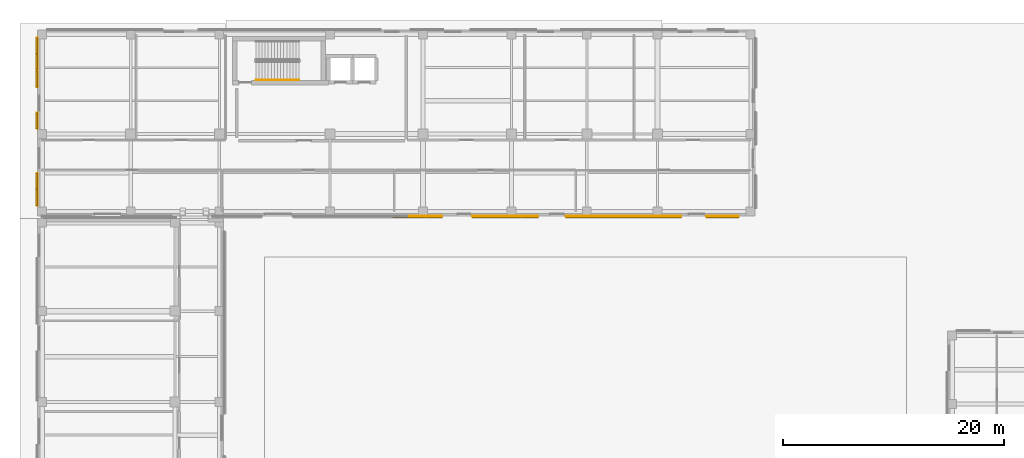
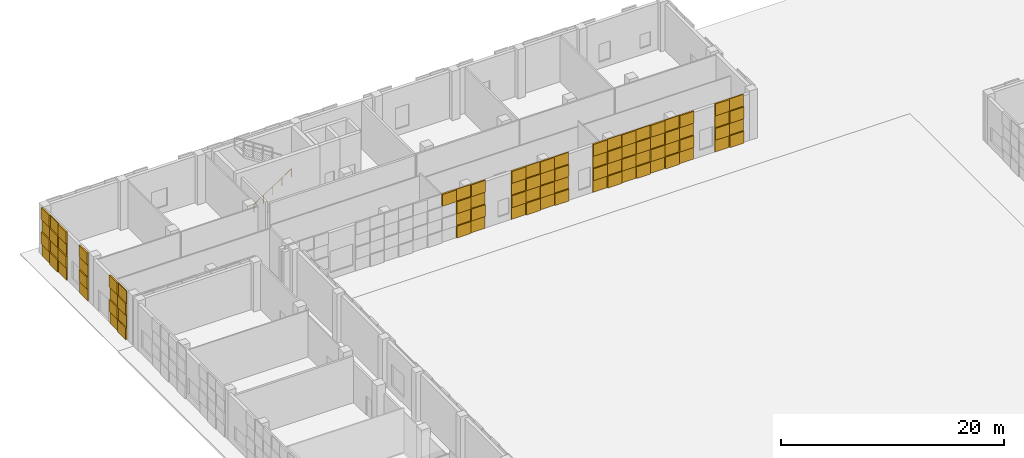
# One storey, part 34 of 40: 85 coverings, 1 railing.
"""IFC4 building model written with IfcOpenShell, lengths in metres."""

from ifc_helpers import new_model, si_unit, direction, frame, origin, origin_2d, place, context, subcontext, project, spatial, rectangle, circle, extrude, material, layer, layer_set, type_object, element, save


model = new_model("IFC4")

# Units and contexts
model_context = context("Model", 3, precision=1e-05, world=origin(), true_north=direction((0.0, 1.0)))
body_context = subcontext(model_context, "Body", "Model", "MODEL_VIEW")
ifc_project = project(units=[si_unit("LENGTHUNIT", "METRE"), si_unit("AREAUNIT", "SQUARE_METRE"), si_unit("VOLUMEUNIT", "CUBIC_METRE"), si_unit("PLANEANGLEUNIT", "RADIAN"), si_unit("MASSUNIT", "GRAM", prefix="KILO")], contexts=[model_context])

# Site, building, storey
site_placement = place(None, origin())
site = spatial("IfcSite", under=ifc_project, at=site_placement, CompositionType="ELEMENT")
building_placement = place(site_placement, origin())
building = spatial("IfcBuilding", under=site, at=building_placement, Name="Qalavern Law Courts", CompositionType="ELEMENT")
storey_placement = place(building_placement, origin())
storey = spatial("IfcBuildingStorey", under=building, at=storey_placement, Name="L00", CompositionType="ELEMENT", Elevation=0.0)

# Coverings
ifc_material_1 = material(Name="Precast concrete C40/50", Category="concrete")
ifc_layer_1 = layer(ifc_material_1, 0.06005859375)
ifc_layer_set_1 = layer_set([ifc_layer_1], Name="Precast concrete C40/50")
covering_type_1 = type_object("IfcCoveringType", Name="ENV-CLD-1", PredefinedType="CLADDING", material=ifc_layer_set_1)
covering_1_placement = place(storey_placement, frame((36.300048828125, 96.1201171875, 0.050048828125), z_axis=(0.0, 0.0, 1.0), x_axis=(1.0, 0.0, 0.0)))
element("IfcCovering", 1, at=covering_1_placement, inside=storey, type_object=covering_type_1, Name="Cast drop-relief street-base tile 1133", PredefinedType="CLADDING", context=body_context, shape_type="SweptSolid", body=[
    extrude(rectangle(XDim=1.449951171875, YDim=0.16796875, at=origin_2d()), origin(), (0.0, 0.0, 1.0), 1.294921875),
])
for number, where, z_axis, x_axis, name in (
    (2, (36.300048828125, 96.162109375, 4.054931640625), (0.0, 0.0, 1.0), (1.0, 0.0, 0.0), "Cast drop-relief street-base tile 1136"),
    (3, (37.800048828125, 96.162109375, 2.719970703125), (0.0, 0.0, 1.0), (1.0, 0.0, 0.0), "Cast drop-relief street-base tile 1139"),
):
    element("IfcCovering", number, at=place(storey_placement, frame(where, z_axis=z_axis, x_axis=x_axis)), inside=storey, type_object=covering_type_1, Name=name, PredefinedType="CLADDING", context=body_context, shape_type="SweptSolid", body=[
        extrude(rectangle(XDim=1.449951171875, YDim=0.083984375, at=origin_2d()), origin(), (0.0, 0.0, 1.0), 1.294921875),
    ])
for number, where, z_axis, x_axis, name in (
    (4, (41.97509765625, 96.1201171875, 1.385009765625), (0.0, 0.0, 1.0), (1.0, 0.0, 0.0), "Cast drop-relief street-base tile 1142"),
    (5, (43.47509765625, 96.1201171875, 0.050048828125), (0.0, 0.0, 1.0), (1.0, 0.0, 0.0), "Cast drop-relief street-base tile 1145"),
):
    element("IfcCovering", number, at=place(storey_placement, frame(where, z_axis=z_axis, x_axis=x_axis)), inside=storey, type_object=covering_type_1, Name=name, PredefinedType="CLADDING", context=body_context, shape_type="SweptSolid", body=[
        extrude(rectangle(XDim=1.449951171875, YDim=0.16796875, at=origin_2d()), origin(), (0.0, 0.0, 1.0), 1.294921875),
    ])
for number, where, z_axis, x_axis, name in (
    (6, (43.47509765625, 96.162109375, 4.054931640625), (0.0, 0.0, 1.0), (1.0, 0.0, 0.0), "Cast drop-relief street-base tile 1148"),
    (7, (44.97509765625, 96.162109375, 2.719970703125), (0.0, 0.0, 1.0), (1.0, 0.0, 0.0), "Cast drop-relief street-base tile 1151"),
    (8, (46.47509765625, 96.162109375, 1.385009765625), (0.0, 0.0, 1.0), (1.0, 0.0, 0.0), "Cast drop-relief street-base tile 1154"),
):
    element("IfcCovering", number, at=place(storey_placement, frame(where, z_axis=z_axis, x_axis=x_axis)), inside=storey, type_object=covering_type_1, Name=name, PredefinedType="CLADDING", context=body_context, shape_type="SweptSolid", body=[
        extrude(rectangle(XDim=1.449951171875, YDim=0.083984375, at=origin_2d()), origin(), (0.0, 0.0, 1.0), 1.294921875),
    ])
for number, where, z_axis, x_axis, name in (
    (9, (50.425048828125, 96.1201171875, 1.385009765625), (0.0, 0.0, 1.0), (1.0, 0.0, 0.0), "Cast drop-relief street-base tile 1158"),
    (10, (51.925048828125, 96.1201171875, 0.050048828125), (0.0, 0.0, 1.0), (1.0, 0.0, 0.0), "Cast drop-relief street-base tile 1161"),
):
    element("IfcCovering", number, at=place(storey_placement, frame(where, z_axis=z_axis, x_axis=x_axis)), inside=storey, type_object=covering_type_1, Name=name, PredefinedType="CLADDING", context=body_context, shape_type="SweptSolid", body=[
        extrude(rectangle(XDim=1.449951171875, YDim=0.16796875, at=origin_2d()), origin(), (0.0, 0.0, 1.0), 1.294921875),
    ])
for number, where, z_axis, x_axis, name in (
    (11, (51.925048828125, 96.162109375, 4.054931640625), (0.0, 0.0, 1.0), (1.0, 0.0, 0.0), "Cast drop-relief street-base tile 1164"),
    (12, (53.425048828125, 96.162109375, 2.719970703125), (0.0, 0.0, 1.0), (1.0, 0.0, 0.0), "Cast drop-relief street-base tile 1167"),
    (13, (54.925048828125, 96.162109375, 1.385009765625), (0.0, 0.0, 1.0), (1.0, 0.0, 0.0), "Cast drop-relief street-base tile 1170"),
    (14, (56.425048828125, 96.162109375, 0.050048828125), (0.0, 0.0, 1.0), (1.0, 0.0, 0.0), "Cast drop-relief street-base tile 1173"),
):
    element("IfcCovering", number, at=place(storey_placement, frame(where, z_axis=z_axis, x_axis=x_axis)), inside=storey, type_object=covering_type_1, Name=name, PredefinedType="CLADDING", context=body_context, shape_type="SweptSolid", body=[
        extrude(rectangle(XDim=1.449951171875, YDim=0.083984375, at=origin_2d()), origin(), (0.0, 0.0, 1.0), 1.294921875),
    ])
for number, where, z_axis, x_axis, name in (
    (15, (56.425048828125, 96.1201171875, 4.054931640625), (0.0, 0.0, 1.0), (1.0, 0.0, 0.0), "Cast drop-relief street-base tile 1176"),
    (16, (57.925048828125, 96.1201171875, 2.719970703125), (0.0, 0.0, 1.0), (1.0, 0.0, 0.0), "Cast drop-relief street-base tile 1179"),
    (17, (59.425048828125, 96.1201171875, 1.385009765625), (0.0, 0.0, 1.0), (1.0, 0.0, 0.0), "Cast drop-relief street-base tile 1182"),
    (18, (63.10009765625, 96.1201171875, 1.385009765625), (0.0, 0.0, 1.0), (1.0, 0.0, 0.0), "Cast drop-relief street-base tile 1186"),
    (19, (64.60009765625, 96.1201171875, 0.050048828125), (0.0, 0.0, 1.0), (1.0, 0.0, 0.0), "Cast drop-relief street-base tile 1189"),
):
    element("IfcCovering", number, at=place(storey_placement, frame(where, z_axis=z_axis, x_axis=x_axis)), inside=storey, type_object=covering_type_1, Name=name, PredefinedType="CLADDING", context=body_context, shape_type="SweptSolid", body=[
        extrude(rectangle(XDim=1.449951171875, YDim=0.16796875, at=origin_2d()), origin(), (0.0, 0.0, 1.0), 1.294921875),
    ])
covering_2_placement = place(storey_placement, frame((64.60009765625, 96.162109375, 4.054931640625), z_axis=(0.0, 0.0, 1.0), x_axis=(1.0, 0.0, 0.0)))
element("IfcCovering", 20, at=covering_2_placement, inside=storey, type_object=covering_type_1, Name="Cast drop-relief street-base tile 1192", PredefinedType="CLADDING", context=body_context, shape_type="SweptSolid", body=[
    extrude(rectangle(XDim=1.449951171875, YDim=0.083984375, at=origin_2d()), origin(), (0.0, 0.0, 1.0), 1.294921875),
])
for number, where, z_axis, x_axis, name in (
    (21, (1.919921875, 111.56494140625, 1.385009765625), (0.0, 0.0, 1.0), (0.0, -1.0, 0.0), "Cast drop-relief street-base tile 1350"),
    (22, (1.919921875, 110.06494140625, 0.050048828125), (0.0, 0.0, 1.0), (0.0, -1.0, 0.0), "Cast drop-relief street-base tile 1353"),
):
    element("IfcCovering", number, at=place(storey_placement, frame(where, z_axis=z_axis, x_axis=x_axis)), inside=storey, type_object=covering_type_1, Name=name, PredefinedType="CLADDING", context=body_context, shape_type="SweptSolid", body=[
        extrude(rectangle(XDim=1.449951171875, YDim=0.16796875, at=origin_2d()), origin(), (0.0, 0.0, 1.0), 1.294921875),
    ])
for number, where, z_axis, x_axis, name in (
    (23, (1.9619140625, 110.06494140625, 4.054931640625), (0.0, 0.0, 1.0), (0.0, -1.0, 0.0), "Cast drop-relief street-base tile 1356"),
    (24, (1.9619140625, 108.56494140625, 2.719970703125), (0.0, 0.0, 1.0), (0.0, -1.0, 0.0), "Cast drop-relief street-base tile 1359"),
):
    element("IfcCovering", number, at=place(storey_placement, frame(where, z_axis=z_axis, x_axis=x_axis)), inside=storey, type_object=covering_type_1, Name=name, PredefinedType="CLADDING", context=body_context, shape_type="SweptSolid", body=[
        extrude(rectangle(XDim=1.449951171875, YDim=0.083984375, at=origin_2d()), origin(), (0.0, 0.0, 1.0), 1.294921875),
    ])
for number, where, z_axis, x_axis, name in (
    (25, (1.919921875, 104.7900390625, 1.385009765625), (0.0, 0.0, 1.0), (0.0, -1.0, 0.0), "Cast drop-relief street-base tile 1362"),
    (26, (1.919921875, 99.35009765625, 1.385009765625), (0.0, 0.0, 1.0), (0.0, -1.0, 0.0), "Cast drop-relief street-base tile 1366"),
    (27, (1.919921875, 97.85009765625, 0.050048828125), (0.0, 0.0, 1.0), (0.0, -1.0, 0.0), "Cast drop-relief street-base tile 1369"),
):
    element("IfcCovering", number, at=place(storey_placement, frame(where, z_axis=z_axis, x_axis=x_axis)), inside=storey, type_object=covering_type_1, Name=name, PredefinedType="CLADDING", context=body_context, shape_type="SweptSolid", body=[
        extrude(rectangle(XDim=1.449951171875, YDim=0.16796875, at=origin_2d()), origin(), (0.0, 0.0, 1.0), 1.294921875),
    ])
covering_3_placement = place(storey_placement, frame((1.9619140625, 97.85009765625, 4.054931640625), z_axis=(0.0, 0.0, 1.0), x_axis=(0.0, -1.0, 0.0)))
element("IfcCovering", 28, at=covering_3_placement, inside=storey, type_object=covering_type_1, Name="Cast drop-relief street-base tile 1372", PredefinedType="CLADDING", context=body_context, shape_type="SweptSolid", body=[
    extrude(rectangle(XDim=1.449951171875, YDim=0.083984375, at=origin_2d()), origin(), (0.0, 0.0, 1.0), 1.294921875),
])
ifc_layer_2 = layer(ifc_material_1, 0.072021484375)
ifc_layer_set_2 = layer_set([ifc_layer_2], Name="Precast concrete C40/50")
covering_type_2 = type_object("IfcCoveringType", Name="ENV-CLD-2", PredefinedType="CLADDING", material=ifc_layer_set_2)
for number, where, z_axis, x_axis, name in (
    (29, (36.300048828125, 96.162109375, 1.385009765625), (0.0, 0.0, 1.0), (1.0, 0.0, 0.0), "Cast drop-relief street-base tile 1134"),
    (30, (37.800048828125, 96.162109375, 0.050048828125), (0.0, 0.0, 1.0), (1.0, 0.0, 0.0), "Cast drop-relief street-base tile 1137"),
):
    element("IfcCovering", number, at=place(storey_placement, frame(where, z_axis=z_axis, x_axis=x_axis)), inside=storey, type_object=covering_type_2, Name=name, PredefinedType="CLADDING", context=body_context, shape_type="SweptSolid", body=[
        extrude(rectangle(XDim=1.449951171875, YDim=0.083984375, at=origin_2d()), origin(), (0.0, 0.0, 1.0), 1.294921875),
    ])
covering_4_placement = place(storey_placement, frame((37.800048828125, 96.1201171875, 4.054931640625), z_axis=(0.0, 0.0, 1.0), x_axis=(1.0, 0.0, 0.0)))
element("IfcCovering", 31, at=covering_4_placement, inside=storey, type_object=covering_type_2, Name="Cast drop-relief street-base tile 1140", PredefinedType="CLADDING", context=body_context, shape_type="SweptSolid", body=[
    extrude(rectangle(XDim=1.449951171875, YDim=0.16796875, at=origin_2d()), origin(), (0.0, 0.0, 1.0), 1.294921875),
])
for number, where, z_axis, x_axis, name in (
    (32, (41.97509765625, 96.162109375, 2.719970703125), (0.0, 0.0, 1.0), (1.0, 0.0, 0.0), "Cast drop-relief street-base tile 1143"),
    (33, (43.47509765625, 96.162109375, 1.385009765625), (0.0, 0.0, 1.0), (1.0, 0.0, 0.0), "Cast drop-relief street-base tile 1146"),
    (34, (44.97509765625, 96.162109375, 0.050048828125), (0.0, 0.0, 1.0), (1.0, 0.0, 0.0), "Cast drop-relief street-base tile 1149"),
):
    element("IfcCovering", number, at=place(storey_placement, frame(where, z_axis=z_axis, x_axis=x_axis)), inside=storey, type_object=covering_type_2, Name=name, PredefinedType="CLADDING", context=body_context, shape_type="SweptSolid", body=[
        extrude(rectangle(XDim=1.449951171875, YDim=0.083984375, at=origin_2d()), origin(), (0.0, 0.0, 1.0), 1.294921875),
    ])
for number, where, z_axis, x_axis, name in (
    (35, (44.97509765625, 96.1201171875, 4.054931640625), (0.0, 0.0, 1.0), (1.0, 0.0, 0.0), "Cast drop-relief street-base tile 1152"),
    (36, (46.47509765625, 96.1201171875, 2.719970703125), (0.0, 0.0, 1.0), (1.0, 0.0, 0.0), "Cast drop-relief street-base tile 1155"),
):
    element("IfcCovering", number, at=place(storey_placement, frame(where, z_axis=z_axis, x_axis=x_axis)), inside=storey, type_object=covering_type_2, Name=name, PredefinedType="CLADDING", context=body_context, shape_type="SweptSolid", body=[
        extrude(rectangle(XDim=1.449951171875, YDim=0.16796875, at=origin_2d()), origin(), (0.0, 0.0, 1.0), 1.294921875),
    ])
for number, where, z_axis, x_axis, name in (
    (37, (50.425048828125, 96.162109375, 2.719970703125), (0.0, 0.0, 1.0), (1.0, 0.0, 0.0), "Cast drop-relief street-base tile 1159"),
    (38, (51.925048828125, 96.162109375, 1.385009765625), (0.0, 0.0, 1.0), (1.0, 0.0, 0.0), "Cast drop-relief street-base tile 1162"),
    (39, (53.425048828125, 96.162109375, 0.050048828125), (0.0, 0.0, 1.0), (1.0, 0.0, 0.0), "Cast drop-relief street-base tile 1165"),
):
    element("IfcCovering", number, at=place(storey_placement, frame(where, z_axis=z_axis, x_axis=x_axis)), inside=storey, type_object=covering_type_2, Name=name, PredefinedType="CLADDING", context=body_context, shape_type="SweptSolid", body=[
        extrude(rectangle(XDim=1.449951171875, YDim=0.083984375, at=origin_2d()), origin(), (0.0, 0.0, 1.0), 1.294921875),
    ])
for number, where, z_axis, x_axis, name in (
    (40, (53.425048828125, 96.1201171875, 4.054931640625), (0.0, 0.0, 1.0), (1.0, 0.0, 0.0), "Cast drop-relief street-base tile 1168"),
    (41, (54.925048828125, 96.1201171875, 2.719970703125), (0.0, 0.0, 1.0), (1.0, 0.0, 0.0), "Cast drop-relief street-base tile 1171"),
    (42, (56.425048828125, 96.1201171875, 1.385009765625), (0.0, 0.0, 1.0), (1.0, 0.0, 0.0), "Cast drop-relief street-base tile 1174"),
    (43, (57.925048828125, 96.1201171875, 0.050048828125), (0.0, 0.0, 1.0), (1.0, 0.0, 0.0), "Cast drop-relief street-base tile 1177"),
):
    element("IfcCovering", number, at=place(storey_placement, frame(where, z_axis=z_axis, x_axis=x_axis)), inside=storey, type_object=covering_type_2, Name=name, PredefinedType="CLADDING", context=body_context, shape_type="SweptSolid", body=[
        extrude(rectangle(XDim=1.449951171875, YDim=0.16796875, at=origin_2d()), origin(), (0.0, 0.0, 1.0), 1.294921875),
    ])
for number, where, z_axis, x_axis, name in (
    (44, (57.925048828125, 96.162109375, 4.054931640625), (0.0, 0.0, 1.0), (1.0, 0.0, 0.0), "Cast drop-relief street-base tile 1180"),
    (45, (59.425048828125, 96.162109375, 2.719970703125), (0.0, 0.0, 1.0), (1.0, 0.0, 0.0), "Cast drop-relief street-base tile 1183"),
    (46, (63.10009765625, 96.162109375, 2.719970703125), (0.0, 0.0, 1.0), (1.0, 0.0, 0.0), "Cast drop-relief street-base tile 1187"),
    (47, (64.60009765625, 96.162109375, 1.385009765625), (0.0, 0.0, 1.0), (1.0, 0.0, 0.0), "Cast drop-relief street-base tile 1190"),
    (48, (1.9619140625, 111.56494140625, 2.719970703125), (0.0, 0.0, 1.0), (0.0, -1.0, 0.0), "Cast drop-relief street-base tile 1351"),
    (49, (1.9619140625, 110.06494140625, 1.385009765625), (0.0, 0.0, 1.0), (0.0, -1.0, 0.0), "Cast drop-relief street-base tile 1354"),
    (50, (1.9619140625, 108.56494140625, 0.050048828125), (0.0, 0.0, 1.0), (0.0, -1.0, 0.0), "Cast drop-relief street-base tile 1357"),
):
    element("IfcCovering", number, at=place(storey_placement, frame(where, z_axis=z_axis, x_axis=x_axis)), inside=storey, type_object=covering_type_2, Name=name, PredefinedType="CLADDING", context=body_context, shape_type="SweptSolid", body=[
        extrude(rectangle(XDim=1.449951171875, YDim=0.083984375, at=origin_2d()), origin(), (0.0, 0.0, 1.0), 1.294921875),
    ])
covering_5_placement = place(storey_placement, frame((1.919921875, 108.56494140625, 4.054931640625), z_axis=(0.0, 0.0, 1.0), x_axis=(0.0, -1.0, 0.0)))
element("IfcCovering", 51, at=covering_5_placement, inside=storey, type_object=covering_type_2, Name="Cast drop-relief street-base tile 1360", PredefinedType="CLADDING", context=body_context, shape_type="SweptSolid", body=[
    extrude(rectangle(XDim=1.449951171875, YDim=0.16796875, at=origin_2d()), origin(), (0.0, 0.0, 1.0), 1.294921875),
])
for number, where, z_axis, x_axis, name in (
    (52, (1.9619140625, 104.7900390625, 2.719970703125), (0.0, 0.0, 1.0), (0.0, -1.0, 0.0), "Cast drop-relief street-base tile 1363"),
    (53, (1.9619140625, 99.35009765625, 2.719970703125), (0.0, 0.0, 1.0), (0.0, -1.0, 0.0), "Cast drop-relief street-base tile 1367"),
    (54, (1.9619140625, 97.85009765625, 1.385009765625), (0.0, 0.0, 1.0), (0.0, -1.0, 0.0), "Cast drop-relief street-base tile 1370"),
):
    element("IfcCovering", number, at=place(storey_placement, frame(where, z_axis=z_axis, x_axis=x_axis)), inside=storey, type_object=covering_type_2, Name=name, PredefinedType="CLADDING", context=body_context, shape_type="SweptSolid", body=[
        extrude(rectangle(XDim=1.449951171875, YDim=0.083984375, at=origin_2d()), origin(), (0.0, 0.0, 1.0), 1.294921875),
    ])
ifc_layer_3 = layer(ifc_material_1, 0.083984375)
ifc_layer_set_3 = layer_set([ifc_layer_3], Name="Precast concrete C40/50")
covering_type_3 = type_object("IfcCoveringType", Name="ENV-CLD-3", PredefinedType="CLADDING", material=ifc_layer_set_3)
for number, where, z_axis, x_axis, name in (
    (55, (34.800048828125, 96.1201171875, 4.054931640625), (0.0, 0.0, 1.0), (1.0, 0.0, 0.0), "Cast drop-relief street-base tile 1132"),
    (56, (36.300048828125, 96.1201171875, 2.719970703125), (0.0, 0.0, 1.0), (1.0, 0.0, 0.0), "Cast drop-relief street-base tile 1135"),
    (57, (37.800048828125, 96.1201171875, 1.385009765625), (0.0, 0.0, 1.0), (1.0, 0.0, 0.0), "Cast drop-relief street-base tile 1138"),
):
    element("IfcCovering", number, at=place(storey_placement, frame(where, z_axis=z_axis, x_axis=x_axis)), inside=storey, type_object=covering_type_3, Name=name, PredefinedType="CLADDING", context=body_context, shape_type="SweptSolid", body=[
        extrude(rectangle(XDim=1.449951171875, YDim=0.16796875, at=origin_2d()), origin(), (0.0, 0.0, 1.0), 1.294921875),
    ])
covering_6_placement = place(storey_placement, frame((41.97509765625, 96.162109375, 0.050048828125), z_axis=(0.0, 0.0, 1.0), x_axis=(1.0, 0.0, 0.0)))
element("IfcCovering", 58, at=covering_6_placement, inside=storey, type_object=covering_type_3, Name="Cast drop-relief street-base tile 1141", PredefinedType="CLADDING", context=body_context, shape_type="SweptSolid", body=[
    extrude(rectangle(XDim=1.449951171875, YDim=0.083984375, at=origin_2d()), origin(), (0.0, 0.0, 1.0), 1.294921875),
])
for number, where, z_axis, x_axis, name in (
    (59, (41.97509765625, 96.1201171875, 4.054931640625), (0.0, 0.0, 1.0), (1.0, 0.0, 0.0), "Cast drop-relief street-base tile 1144"),
    (60, (43.47509765625, 96.1201171875, 2.719970703125), (0.0, 0.0, 1.0), (1.0, 0.0, 0.0), "Cast drop-relief street-base tile 1147"),
    (61, (44.97509765625, 96.1201171875, 1.385009765625), (0.0, 0.0, 1.0), (1.0, 0.0, 0.0), "Cast drop-relief street-base tile 1150"),
    (62, (46.47509765625, 96.1201171875, 0.050048828125), (0.0, 0.0, 1.0), (1.0, 0.0, 0.0), "Cast drop-relief street-base tile 1153"),
):
    element("IfcCovering", number, at=place(storey_placement, frame(where, z_axis=z_axis, x_axis=x_axis)), inside=storey, type_object=covering_type_3, Name=name, PredefinedType="CLADDING", context=body_context, shape_type="SweptSolid", body=[
        extrude(rectangle(XDim=1.449951171875, YDim=0.16796875, at=origin_2d()), origin(), (0.0, 0.0, 1.0), 1.294921875),
    ])
for number, where, z_axis, x_axis, name in (
    (63, (46.47509765625, 96.162109375, 4.054931640625), (0.0, 0.0, 1.0), (1.0, 0.0, 0.0), "Cast drop-relief street-base tile 1156"),
    (64, (50.425048828125, 96.162109375, 0.050048828125), (0.0, 0.0, 1.0), (1.0, 0.0, 0.0), "Cast drop-relief street-base tile 1157"),
):
    element("IfcCovering", number, at=place(storey_placement, frame(where, z_axis=z_axis, x_axis=x_axis)), inside=storey, type_object=covering_type_3, Name=name, PredefinedType="CLADDING", context=body_context, shape_type="SweptSolid", body=[
        extrude(rectangle(XDim=1.449951171875, YDim=0.083984375, at=origin_2d()), origin(), (0.0, 0.0, 1.0), 1.294921875),
    ])
for number, where, z_axis, x_axis, name in (
    (65, (50.425048828125, 96.1201171875, 4.054931640625), (0.0, 0.0, 1.0), (1.0, 0.0, 0.0), "Cast drop-relief street-base tile 1160"),
    (66, (51.925048828125, 96.1201171875, 2.719970703125), (0.0, 0.0, 1.0), (1.0, 0.0, 0.0), "Cast drop-relief street-base tile 1163"),
    (67, (53.425048828125, 96.1201171875, 1.385009765625), (0.0, 0.0, 1.0), (1.0, 0.0, 0.0), "Cast drop-relief street-base tile 1166"),
    (68, (54.925048828125, 96.1201171875, 0.050048828125), (0.0, 0.0, 1.0), (1.0, 0.0, 0.0), "Cast drop-relief street-base tile 1169"),
):
    element("IfcCovering", number, at=place(storey_placement, frame(where, z_axis=z_axis, x_axis=x_axis)), inside=storey, type_object=covering_type_3, Name=name, PredefinedType="CLADDING", context=body_context, shape_type="SweptSolid", body=[
        extrude(rectangle(XDim=1.449951171875, YDim=0.16796875, at=origin_2d()), origin(), (0.0, 0.0, 1.0), 1.294921875),
    ])
for number, where, z_axis, x_axis, name in (
    (69, (54.925048828125, 96.162109375, 4.054931640625), (0.0, 0.0, 1.0), (1.0, 0.0, 0.0), "Cast drop-relief street-base tile 1172"),
    (70, (56.425048828125, 96.162109375, 2.719970703125), (0.0, 0.0, 1.0), (1.0, 0.0, 0.0), "Cast drop-relief street-base tile 1175"),
    (71, (57.925048828125, 96.162109375, 1.385009765625), (0.0, 0.0, 1.0), (1.0, 0.0, 0.0), "Cast drop-relief street-base tile 1178"),
    (72, (59.425048828125, 96.162109375, 0.050048828125), (0.0, 0.0, 1.0), (1.0, 0.0, 0.0), "Cast drop-relief street-base tile 1181"),
):
    element("IfcCovering", number, at=place(storey_placement, frame(where, z_axis=z_axis, x_axis=x_axis)), inside=storey, type_object=covering_type_3, Name=name, PredefinedType="CLADDING", context=body_context, shape_type="SweptSolid", body=[
        extrude(rectangle(XDim=1.449951171875, YDim=0.083984375, at=origin_2d()), origin(), (0.0, 0.0, 1.0), 1.294921875),
    ])
covering_7_placement = place(storey_placement, frame((59.425048828125, 96.1201171875, 4.054931640625), z_axis=(0.0, 0.0, 1.0), x_axis=(1.0, 0.0, 0.0)))
element("IfcCovering", 73, at=covering_7_placement, inside=storey, type_object=covering_type_3, Name="Cast drop-relief street-base tile 1184", PredefinedType="CLADDING", context=body_context, shape_type="SweptSolid", body=[
    extrude(rectangle(XDim=1.449951171875, YDim=0.16796875, at=origin_2d()), origin(), (0.0, 0.0, 1.0), 1.294921875),
])
covering_8_placement = place(storey_placement, frame((63.10009765625, 96.162109375, 0.050048828125), z_axis=(0.0, 0.0, 1.0), x_axis=(1.0, 0.0, 0.0)))
element("IfcCovering", 74, at=covering_8_placement, inside=storey, type_object=covering_type_3, Name="Cast drop-relief street-base tile 1185", PredefinedType="CLADDING", context=body_context, shape_type="SweptSolid", body=[
    extrude(rectangle(XDim=1.449951171875, YDim=0.083984375, at=origin_2d()), origin(), (0.0, 0.0, 1.0), 1.294921875),
])
for number, where, z_axis, x_axis, name in (
    (75, (63.10009765625, 96.1201171875, 4.054931640625), (0.0, 0.0, 1.0), (1.0, 0.0, 0.0), "Cast drop-relief street-base tile 1188"),
    (76, (64.60009765625, 96.1201171875, 2.719970703125), (0.0, 0.0, 1.0), (1.0, 0.0, 0.0), "Cast drop-relief street-base tile 1191"),
):
    element("IfcCovering", number, at=place(storey_placement, frame(where, z_axis=z_axis, x_axis=x_axis)), inside=storey, type_object=covering_type_3, Name=name, PredefinedType="CLADDING", context=body_context, shape_type="SweptSolid", body=[
        extrude(rectangle(XDim=1.449951171875, YDim=0.16796875, at=origin_2d()), origin(), (0.0, 0.0, 1.0), 1.294921875),
    ])
covering_9_placement = place(storey_placement, frame((1.9619140625, 111.56494140625, 0.050048828125), z_axis=(0.0, 0.0, 1.0), x_axis=(0.0, -1.0, 0.0)))
element("IfcCovering", 77, at=covering_9_placement, inside=storey, type_object=covering_type_3, Name="Cast drop-relief street-base tile 1349", PredefinedType="CLADDING", context=body_context, shape_type="SweptSolid", body=[
    extrude(rectangle(XDim=1.449951171875, YDim=0.083984375, at=origin_2d()), origin(), (0.0, 0.0, 1.0), 1.294921875),
])
for number, where, z_axis, x_axis, name in (
    (78, (1.919921875, 111.56494140625, 4.054931640625), (0.0, 0.0, 1.0), (0.0, -1.0, 0.0), "Cast drop-relief street-base tile 1352"),
    (79, (1.919921875, 110.06494140625, 2.719970703125), (0.0, 0.0, 1.0), (0.0, -1.0, 0.0), "Cast drop-relief street-base tile 1355"),
    (80, (1.919921875, 108.56494140625, 1.385009765625), (0.0, 0.0, 1.0), (0.0, -1.0, 0.0), "Cast drop-relief street-base tile 1358"),
):
    element("IfcCovering", number, at=place(storey_placement, frame(where, z_axis=z_axis, x_axis=x_axis)), inside=storey, type_object=covering_type_3, Name=name, PredefinedType="CLADDING", context=body_context, shape_type="SweptSolid", body=[
        extrude(rectangle(XDim=1.449951171875, YDim=0.16796875, at=origin_2d()), origin(), (0.0, 0.0, 1.0), 1.294921875),
    ])
covering_10_placement = place(storey_placement, frame((1.9619140625, 104.7900390625, 0.050048828125), z_axis=(0.0, 0.0, 1.0), x_axis=(0.0, -1.0, 0.0)))
element("IfcCovering", 81, at=covering_10_placement, inside=storey, type_object=covering_type_3, Name="Cast drop-relief street-base tile 1361", PredefinedType="CLADDING", context=body_context, shape_type="SweptSolid", body=[
    extrude(rectangle(XDim=1.449951171875, YDim=0.083984375, at=origin_2d()), origin(), (0.0, 0.0, 1.0), 1.294921875),
])
covering_11_placement = place(storey_placement, frame((1.919921875, 104.7900390625, 4.054931640625), z_axis=(0.0, 0.0, 1.0), x_axis=(0.0, -1.0, 0.0)))
element("IfcCovering", 82, at=covering_11_placement, inside=storey, type_object=covering_type_3, Name="Cast drop-relief street-base tile 1364", PredefinedType="CLADDING", context=body_context, shape_type="SweptSolid", body=[
    extrude(rectangle(XDim=1.449951171875, YDim=0.16796875, at=origin_2d()), origin(), (0.0, 0.0, 1.0), 1.294921875),
])
covering_12_placement = place(storey_placement, frame((1.9619140625, 99.35009765625, 0.050048828125), z_axis=(0.0, 0.0, 1.0), x_axis=(0.0, -1.0, 0.0)))
element("IfcCovering", 83, at=covering_12_placement, inside=storey, type_object=covering_type_3, Name="Cast drop-relief street-base tile 1365", PredefinedType="CLADDING", context=body_context, shape_type="SweptSolid", body=[
    extrude(rectangle(XDim=1.449951171875, YDim=0.083984375, at=origin_2d()), origin(), (0.0, 0.0, 1.0), 1.294921875),
])
for number, where, z_axis, x_axis, name in (
    (84, (1.919921875, 99.35009765625, 4.054931640625), (0.0, 0.0, 1.0), (0.0, -1.0, 0.0), "Cast drop-relief street-base tile 1368"),
    (85, (1.919921875, 97.85009765625, 2.719970703125), (0.0, 0.0, 1.0), (0.0, -1.0, 0.0), "Cast drop-relief street-base tile 1371"),
):
    element("IfcCovering", number, at=place(storey_placement, frame(where, z_axis=z_axis, x_axis=x_axis)), inside=storey, type_object=covering_type_3, Name=name, PredefinedType="CLADDING", context=body_context, shape_type="SweptSolid", body=[
        extrude(rectangle(XDim=1.449951171875, YDim=0.16796875, at=origin_2d()), origin(), (0.0, 0.0, 1.0), 1.294921875),
    ])

# Railing
ifc_material_2 = material(Name="Steel S355", Category="steel")
railing_type = type_object("IfcRailingType", Name="INT-HRAIL-920", PredefinedType="HANDRAIL", material=ifc_material_2)
railing_placement = place(storey_placement, frame((21.699951171875, 108.5, 0.179931640625)))
element("IfcRailing", 86, at=railing_placement, inside=storey, type_object=railing_type, Name="L00 ST-K3 stair handrail 1", PredefinedType="HANDRAIL", context=body_context, shape_type="SweptSolid", body=[
    extrude(circle(Radius=0.02392578125, at=origin_2d()), frame((0.0, 0.0, 0.8759765625), z_axis=(0.841186985886, 0.0, 0.540744352514), x_axis=(0.0, 1.0, 0.0)), (0.0, 0.0, 1.0), 4.660400390625),
    extrude(circle(Radius=0.02099609375, at=origin_2d()), origin(), (0.0, 0.0, 1.0), 0.851806640625),
    extrude(circle(Radius=0.02099609375, at=origin_2d()), frame((0.97998046875, 0.0, 0.6298828125)), (0.0, 0.0, 1.0), 0.851806640625),
    extrude(circle(Radius=0.02099609375, at=origin_2d()), frame((1.9599609375, 0.0, 1.260009765625)), (0.0, 0.0, 1.0), 0.851806640625),
    extrude(circle(Radius=0.02099609375, at=origin_2d()), frame((2.940185546875, 0.0, 1.89013671875)), (0.0, 0.0, 1.0), 0.851806640625),
    extrude(circle(Radius=0.02099609375, at=origin_2d()), frame((3.920166015625, 0.0, 2.52001953125)), (0.0, 0.0, 1.0), 0.851806640625),
])

save(model, "model.ifc")
